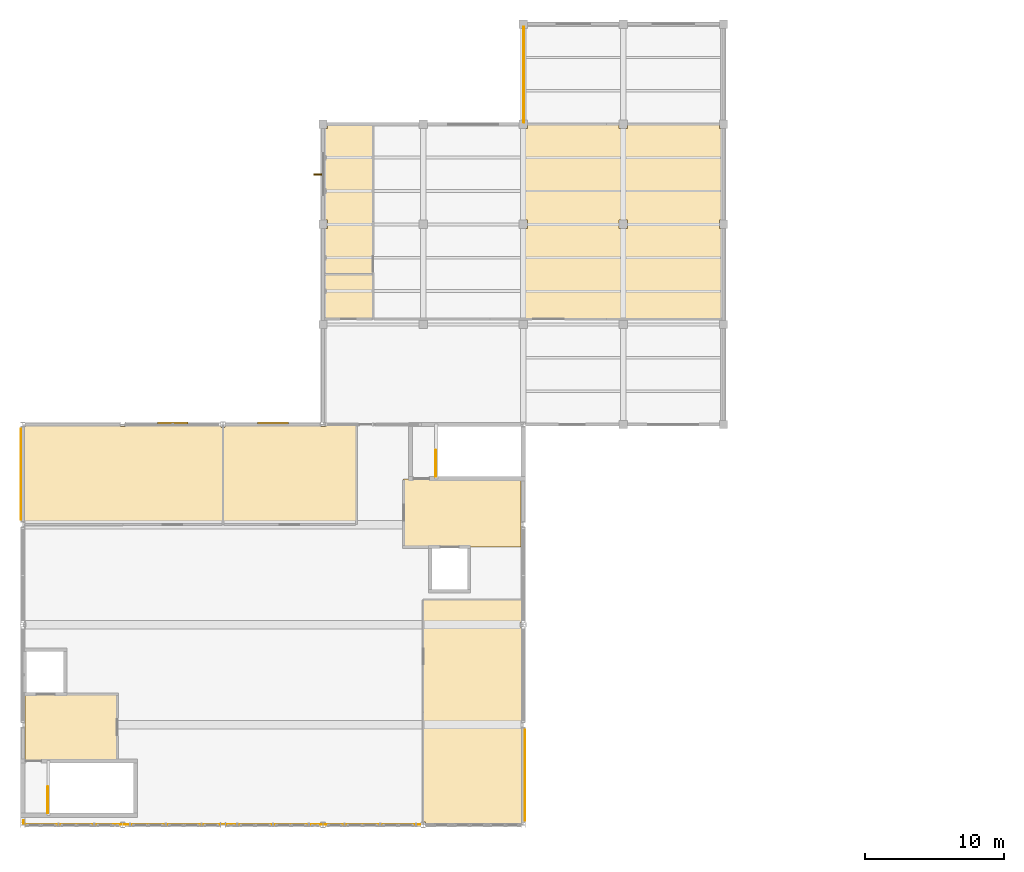
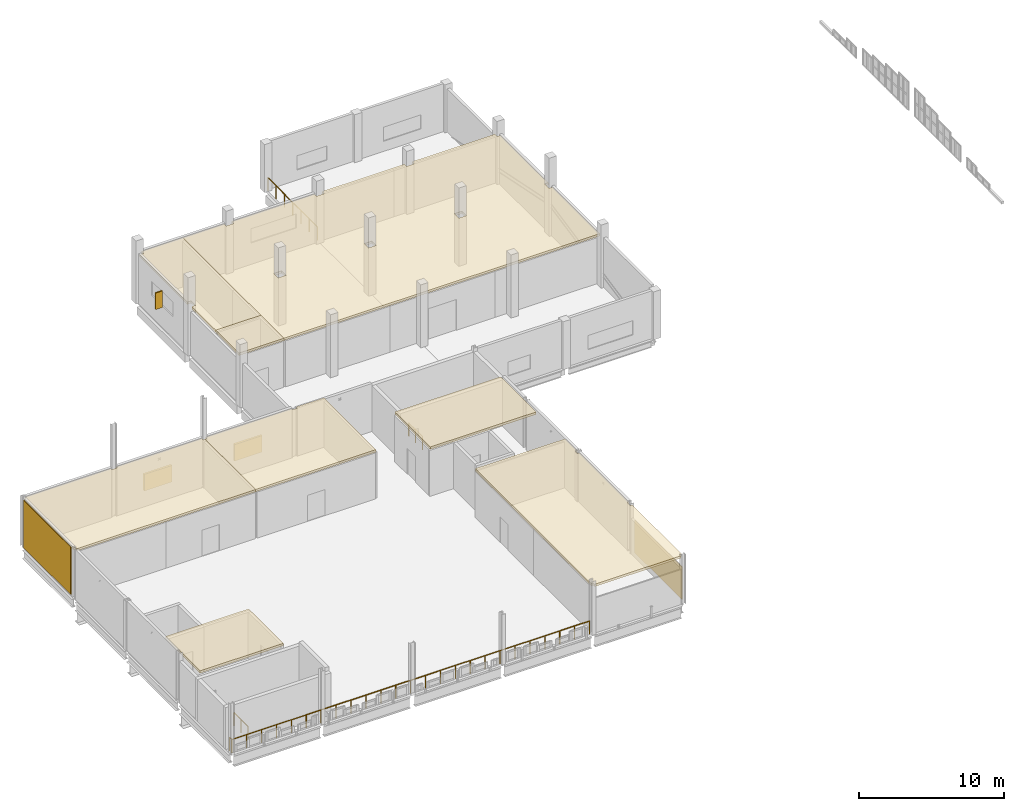
# One storey, part 20 of 20: 10 coverings, 4 railings, 3 shading devices.
"""IFC4 building model written with IfcOpenShell, lengths in metres."""

import ifcopenshell
import ifcopenshell.guid

model = None  # the IFC model being written
_history = None  # IfcOwnerHistory: only IFC2X3 demands one
_inside = {}  # id of a spatial element -> (the spatial element, [elements in it])
_under = {}  # id of a project, library or spatial element -> (it, [spatial elements below it])
_declared = {}  # id of a project -> (the project, [libraries it declares])
_typed = {}  # id of a type object -> (the type object, [elements of that type])
_made_of = {}  # id of a material, layer set ... -> (it, [elements and type objects made of it])


def new_model(schema):
    """Start an empty IFC model of exactly this schema.

    Asked for "IFC4X3", IfcOpenShell would pick the latest addendum, in which some entities
    have other attributes; the version numbers below select the first issue.
    IFC2X3 requires an IfcOwnerHistory on every rooted entity: one is made here for all.
    """
    global model, _history
    if schema == "IFC4X3":
        model = ifcopenshell.file(schema_version=(4, 3, 0, 0))
    else:
        model = ifcopenshell.file(schema=schema)
    _inside.clear()
    _under.clear()
    _declared.clear()
    _typed.clear()
    _made_of.clear()
    _history = None
    if model.schema == "IFC2X3":
        org = make("IfcOrganization", Name="unknown")
        user = make(
            "IfcPersonAndOrganization",
            ThePerson=make("IfcPerson", FamilyName="unknown"),
            TheOrganization=org,
        )
        app = make(
            "IfcApplication",
            ApplicationDeveloper=org,
            Version="unknown",
            ApplicationFullName="unknown",
            ApplicationIdentifier="unknown",
        )
        _history = make(
            "IfcOwnerHistory",
            OwningUser=user,
            OwningApplication=app,
            ChangeAction="ADDED",
            CreationDate=0,
        )
    return model


def make(cls, **values):
    """One entity of the class cls with the attributes given. An attribute that is None is left unset."""
    return model.create_entity(
        cls, **{name: value for name, value in values.items() if value is not None}
    )


def rooted(cls, **values):
    """An entity with a GlobalId (a new one), such as an element, a storey or a relation."""
    return make(cls, GlobalId=ifcopenshell.guid.new(), OwnerHistory=_history, **values)


def si_unit(unit_type, name, prefix=None):
    """IfcSIUnit, for example si_unit("LENGTHUNIT", "METRE", prefix="MILLI")."""
    return make("IfcSIUnit", UnitType=unit_type, Prefix=prefix, Name=name)


def assignment(units):
    """IfcUnitAssignment: the units of a project."""
    return None if units is None else make("IfcUnitAssignment", Units=units)


def point(xyz):
    """IfcCartesianPoint."""
    return None if xyz is None else make("IfcCartesianPoint", Coordinates=xyz)


def direction(xyz):
    """IfcDirection."""
    return None if xyz is None else make("IfcDirection", DirectionRatios=xyz)


def frame(location, z_axis=None, x_axis=None):
    """IfcAxis2Placement3D, a coordinate frame: its origin and axes. An axis left out is left unset."""
    return make(
        "IfcAxis2Placement3D",
        Location=point(location),
        Axis=direction(z_axis),
        RefDirection=direction(x_axis),
    )


def frame_2d(location, x_axis=None):
    """IfcAxis2Placement2D, a coordinate frame in the plane: its origin and x axis."""
    return make(
        "IfcAxis2Placement2D", Location=point(location), RefDirection=direction(x_axis)
    )


def origin():
    """The frame at (0, 0, 0) with its axes left unset."""
    return frame((0.0, 0.0, 0.0))


def origin_2d():
    """The frame at (0, 0) in the plane with its x axis left unset."""
    return frame_2d((0.0, 0.0))


def place(relative_to, where):
    """IfcLocalPlacement: puts the frame where relative to a parent placement (None: the world)."""
    return make(
        "IfcLocalPlacement", PlacementRelTo=relative_to, RelativePlacement=where
    )


def context(
    kind, dimensions, precision=None, world=None, true_north=None, identifier=None
):
    """IfcGeometricRepresentationContext, for example the 3D "Model" context."""
    return make(
        "IfcGeometricRepresentationContext",
        ContextIdentifier=identifier,
        ContextType=kind,
        CoordinateSpaceDimension=dimensions,
        Precision=precision,
        WorldCoordinateSystem=world,
        TrueNorth=true_north,
    )


def subcontext(parent, identifier, kind, view, scale=None):
    """IfcGeometricRepresentationSubContext, for example "Body" below "Model"."""
    return make(
        "IfcGeometricRepresentationSubContext",
        ContextIdentifier=identifier,
        ContextType=kind,
        ParentContext=parent,
        TargetScale=scale,
        TargetView=view,
    )


def project(units=None, contexts=None):
    """IfcProject with its units and contexts."""
    return rooted(
        "IfcProject",
        Name="project",
        RepresentationContexts=contexts,
        UnitsInContext=assignment(units),
    )


def spatial(cls, under=None, at=None, **own):
    """A site, building, storey or space (cls), placed at a placement, below another one or the project."""
    s = rooted(cls, ObjectPlacement=at, **own)
    if under is not None:
        _under.setdefault(under.id(), (under, []))[1].append(s)
    return s


def polyline(points):
    """IfcPolyline through the points."""
    return make("IfcPolyline", Points=[point(p) for p in points])


def profile(cls, at=None, kind="AREA", **sizes):
    """A parametric profile (cls). Its sizes go by their IFC names, for example OverallWidth=200.0."""
    return make(cls, ProfileType=kind, Position=at, **sizes)


def rectangle(**sizes):
    """IfcRectangleProfileDef."""
    return profile("IfcRectangleProfileDef", **sizes)


def circle(**sizes):
    """IfcCircleProfileDef."""
    return profile("IfcCircleProfileDef", **sizes)


def outline(outer, holes=None, kind="AREA"):
    """IfcArbitraryClosedProfileDef: a profile drawn as a closed curve; with holes, ...WithVoids."""
    if holes is None:
        return make("IfcArbitraryClosedProfileDef", ProfileType=kind, OuterCurve=outer)
    return make(
        "IfcArbitraryProfileDefWithVoids",
        ProfileType=kind,
        OuterCurve=outer,
        InnerCurves=holes,
    )


def extrude(swept, where, along, depth):
    """IfcExtrudedAreaSolid: the profile swept, set in the frame where, extruded along a direction by depth."""
    return make(
        "IfcExtrudedAreaSolid",
        SweptArea=swept,
        Position=where,
        ExtrudedDirection=direction(along),
        Depth=depth,
    )


def shape(context_of_items, identifier, shape_type, items):
    """IfcShapeRepresentation: the items that make up one representation, for example the "Body"."""
    return make(
        "IfcShapeRepresentation",
        ContextOfItems=context_of_items,
        RepresentationIdentifier=identifier,
        RepresentationType=shape_type,
        Items=items,
    )


def material(Name=None, Category=None):
    """IfcMaterial."""
    return make("IfcMaterial", Name=Name, Category=Category)


def layer(
    of_material, thickness, ventilated=None, Name=None, Category=None, Priority=None
):
    """IfcMaterialLayer: one layer of a wall or slab, of a material (None: an air gap)."""
    return make(
        "IfcMaterialLayer",
        Material=of_material,
        LayerThickness=thickness,
        IsVentilated=ventilated,
        Name=Name,
        Category=Category,
        Priority=Priority,
    )


def layer_set(layers, Name=None):
    """IfcMaterialLayerSet."""
    return make("IfcMaterialLayerSet", MaterialLayers=layers, LayerSetName=Name)


def made_of(thing, what):
    """Note that an element or type object is made of a material, layer set ...; save() writes the relation."""
    if what is not None:
        _made_of.setdefault(what.id(), (what, []))[1].append(thing)
    return thing


def type_object(cls, material=None, **own):
    """A type object (cls), such as IfcWallType, which elements share."""
    return made_of(rooted(cls, **own), material)


def element(
    cls,
    number,
    at=None,
    inside=None,
    cuts=None,
    type_object=None,
    material=None,
    context=None,
    identifier="Body",
    shape_type=None,
    held_by="IfcProductDefinitionShape",
    body=None,
    shapes=None,
    **own,
):
    """One element of the class cls, such as IfcWall. Its Tag is "e" and its number.

    at: its placement. inside: the storey or other place that contains it. cuts: it is an
    opening in that element (IfcRelVoidsElement). A single representation is given by context,
    identifier, shape_type and body (its items); several are given by shapes. held_by: the class
    of the entity that holds the representations. save() writes the other relations.
    """
    e = rooted(cls, Tag="e%d" % number, ObjectPlacement=at, **own)
    if body is not None:
        shapes = [shape(context, identifier, shape_type, body)]
    if shapes is not None:
        e.Representation = make(held_by, Representations=shapes)
    if inside is not None:
        _inside.setdefault(inside.id(), (inside, []))[1].append(e)
    if cuts is not None:
        rooted(
            "IfcRelVoidsElement", RelatingBuildingElement=cuts, RelatedOpeningElement=e
        )
    if type_object is not None:
        _typed.setdefault(type_object.id(), (type_object, []))[1].append(e)
    return made_of(e, material)


def aggregate(whole, parts):
    """IfcRelAggregates: a whole, such as a stair, and the parts it consists of."""
    return rooted("IfcRelAggregates", RelatingObject=whole, RelatedObjects=parts)


def save(model, path):
    """Write the relations noted so far, then the file.

    IfcRelAggregates (storeys below a building ...), IfcRelContainedInSpatialStructure (elements
    in a storey), IfcRelDefinesByType, IfcRelAssociatesMaterial and IfcRelDeclares: one each for
    every whole, place, type object, material and project.
    """
    for whole, parts in _under.values():
        aggregate(whole, parts)
    for where, things in _inside.values():
        rooted(
            "IfcRelContainedInSpatialStructure",
            RelatedElements=things,
            RelatingStructure=where,
        )
    for kind, things in _typed.values():
        rooted("IfcRelDefinesByType", RelatedObjects=things, RelatingType=kind)
    for what, things in _made_of.values():
        rooted("IfcRelAssociatesMaterial", RelatedObjects=things, RelatingMaterial=what)
    for by, libraries in _declared.values():
        rooted("IfcRelDeclares", RelatingContext=by, RelatedDefinitions=libraries)
    model.write(path)


model = new_model("IFC4")

# Units and contexts
model_context = context("Model", 3, precision=1e-05, world=origin(), true_north=direction((0.0, 1.0)))
body_context = subcontext(model_context, "Body", "Model", "MODEL_VIEW")
ifc_project = project(units=[si_unit("LENGTHUNIT", "METRE"), si_unit("AREAUNIT", "SQUARE_METRE"), si_unit("VOLUMEUNIT", "CUBIC_METRE"), si_unit("PLANEANGLEUNIT", "RADIAN"), si_unit("MASSUNIT", "GRAM", prefix="KILO"), si_unit("THERMODYNAMICTEMPERATUREUNIT", "KELVIN"), si_unit("POWERUNIT", "WATT")], contexts=[model_context])

# Site, building, storey
site_placement = place(None, origin())
site = spatial("IfcSite", under=ifc_project, at=site_placement, CompositionType="ELEMENT")
building_placement = place(site_placement, origin())
building = spatial("IfcBuilding", under=site, at=building_placement, Name="Kaldorven Railside Theatre", CompositionType="ELEMENT")
storey_placement = place(building_placement, frame((0.0, 0.0, 23.10009765625)))
storey = spatial("IfcBuildingStorey", under=building, at=storey_placement, Name="L05", CompositionType="ELEMENT", Elevation=23.10009765625)

# Coverings
ifc_material_1 = material(Name="Bush-hammered precast concrete C40/50", Category="concrete")
ifc_layer_1 = layer(ifc_material_1, 0.050048828125, Name="Bush-hammered precast concrete C40/50")
ifc_layer_set_1 = layer_set([ifc_layer_1], Name="Bush-hammered precast concrete C40/50")
covering_type_1 = type_object("IfcCoveringType", Name="COV-CLD-01", PredefinedType="CLADDING", material=ifc_layer_set_1)
covering_1_placement = place(storey_placement, frame((87.069091796875, 109.219970703125, 0.099853515625), z_axis=(0.0, 0.0, 1.0), x_axis=(0.0, 1.0, 0.0)))
element("IfcCovering", 1, at=covering_1_placement, inside=storey, type_object=covering_type_1, Name="Bush-Hammered Laterite Rainscreen Panel CLD-043", PredefinedType="CLADDING", context=body_context, shape_type="SweptSolid", body=[
    extrude(rectangle(XDim=6.5400390625, YDim=0.050048828125, at=origin_2d()), origin(), (0.0, 0.0, 1.0), 4.0),
])
covering_2_placement = place(storey_placement, frame((123.3310546875, 87.577392578125, 0.10009765625), z_axis=(0.0, 0.0, 1.0), x_axis=(0.0, -1.0, 0.0)))
element("IfcCovering", 2, at=covering_2_placement, inside=storey, type_object=covering_type_1, Name="Bush-Hammered Laterite Rainscreen Panel CLD-044", PredefinedType="CLADDING", context=body_context, shape_type="SweptSolid", body=[
    extrude(rectangle(XDim=6.544921875, YDim=0.050048828125, at=origin_2d()), origin(), (0.0, 0.0, 1.0), 2.7490234375),
])
ifc_material_2 = material(Name="Fire-rated acoustic mineral-core ceiling")
ifc_layer_2 = layer(ifc_material_2, 0.199951171875, Name="Fire-rated acoustic mineral-core ceiling")
ifc_layer_set_2 = layer_set([ifc_layer_2], Name="Fire-rated acoustic mineral-core ceiling")
covering_type_2 = type_object("IfcCoveringType", Name="COV-CLG-L05", PredefinedType="CEILING", material=ifc_layer_set_2)
covering_3_placement = place(storey_placement, frame((0.0, 0.0, 3.8798828125)))
element("IfcCovering", 3, at=covering_3_placement, inside=storey, type_object=covering_type_2, Name="L05 Rigging Winch Room Overhead Ceiling Enclosure 026", PredefinedType="CEILING", context=body_context, shape_type="SweptSolid", body=[
    extrude(outline(polyline([(101.60009765625, 105.60009765625), (87.35205078125, 105.60009765625), (87.35205078125, 105.802001953125), (87.199951171875, 105.802001953125), (87.199951171875, 112.6376953125), (87.356689453125, 112.6376953125), (87.356689453125, 112.800048828125), (94.197998046875, 112.800048828125), (94.197998046875, 112.64794921875), (94.60205078125, 112.64794921875), (94.60205078125, 112.800048828125), (101.447998046875, 112.800048828125), (101.447998046875, 112.597900390625), (101.60009765625, 112.597900390625), (101.60009765625, 105.60009765625)])), origin(), (0.0, 0.0, 1.0), 0.199951171875),
])
covering_4_placement = place(storey_placement, frame((0.0, 0.0, 3.8798828125)))
element("IfcCovering", 4, at=covering_4_placement, inside=storey, type_object=covering_type_2, Name="L05 Upper Smoke Extract Plant Overhead Ceiling Enclosure 027", PredefinedType="CEILING", context=body_context, shape_type="SweptSolid", body=[
    extrude(outline(polyline([(111.199951171875, 112.800048828125), (111.199951171875, 105.60009765625), (101.60009765625, 105.60009765625), (101.60009765625, 112.597900390625), (101.751953125, 112.597900390625), (101.751953125, 112.800048828125), (108.597900390625, 112.800048828125), (108.597900390625, 112.64794921875), (109.001953125, 112.64794921875), (109.001953125, 112.800048828125), (111.199951171875, 112.800048828125)])), origin(), (0.0, 0.0, 1.0), 0.199951171875),
])
covering_5_placement = place(storey_placement, frame((0.0, 0.0, 3.8798828125)))
element("IfcCovering", 5, at=covering_5_placement, inside=storey, type_object=covering_type_2, Name="L05 Stage Automation Control Room Overhead Ceiling Enclosure 028", PredefinedType="CEILING", context=body_context, shape_type="SweptSolid", body=[
    extrude(outline(polyline([(123.199951171875, 84.156494140625), (123.037841796875, 84.156494140625), (123.037841796875, 84.0), (116.152099609375, 84.0), (116.152099609375, 84.201904296875), (116.0, 84.201904296875), (116.0, 100.199951171875), (123.199951171875, 100.199951171875), (123.199951171875, 98.552001953125), (122.998046875, 98.552001953125), (122.998046875, 98.248046875), (123.199951171875, 98.248046875), (123.199951171875, 91.402099609375), (123.048095703125, 91.402099609375), (123.048095703125, 90.998046875), (123.199951171875, 90.998046875), (123.199951171875, 84.156494140625)])), origin(), (0.0, 0.0, 1.0), 0.199951171875),
])
covering_6_placement = place(storey_placement, frame((0.0, 0.0, 3.8798828125)))
element("IfcCovering", 6, at=covering_6_placement, inside=storey, type_object=covering_type_2, Name="L05 Upper Rigging Workshop Overhead Ceiling Enclosure 029", PredefinedType="CEILING", context=body_context, shape_type="SweptSolid", body=[
    extrude(outline(polyline([(137.60009765625, 120.39990234375), (112.39990234375, 120.39990234375), (112.39990234375, 134.39990234375), (115.697998046875, 134.39990234375), (115.697998046875, 134.097900390625), (116.302001953125, 134.097900390625), (116.302001953125, 134.39990234375), (122.89794921875, 134.39990234375), (122.89794921875, 134.097900390625), (123.501953125, 134.097900390625), (123.501953125, 134.39990234375), (130.097900390625, 134.39990234375), (130.097900390625, 134.097900390625), (130.701904296875, 134.097900390625), (130.701904296875, 134.39990234375), (137.298095703125, 134.39990234375), (137.298095703125, 134.097900390625), (137.60009765625, 134.097900390625), (137.60009765625, 127.501953125), (137.298095703125, 127.501953125), (137.298095703125, 126.89794921875), (137.60009765625, 126.89794921875), (137.60009765625, 120.39990234375)]), holes=[polyline([(116.302001953125, 126.89794921875), (116.302001953125, 127.501953125), (115.697998046875, 127.501953125), (115.697998046875, 126.89794921875), (116.302001953125, 126.89794921875)]), polyline([(123.501953125, 126.89794921875), (123.501953125, 127.501953125), (122.89794921875, 127.501953125), (122.89794921875, 126.89794921875), (123.501953125, 126.89794921875)]), polyline([(130.097900390625, 126.89794921875), (130.701904296875, 126.89794921875), (130.701904296875, 127.501953125), (130.097900390625, 127.501953125), (130.097900390625, 126.89794921875)])]), origin(), (0.0, 0.0, 1.0), 0.199951171875),
])
covering_7_placement = place(storey_placement, frame((0.0, 0.0, 3.8798828125)))
element("IfcCovering", 7, at=covering_7_placement, inside=storey, type_object=covering_type_2, Name="L05 Gridiron Staff Accessible WC Overhead Ceiling Enclosure 030", PredefinedType="CEILING", context=body_context, shape_type="SweptSolid", body=[
    extrude(outline(polyline([(108.800048828125, 120.39990234375), (108.800048828125, 123.60009765625), (112.39990234375, 123.60009765625), (112.39990234375, 120.39990234375), (108.800048828125, 120.39990234375)])), origin(), (0.0, 0.0, 1.0), 0.199951171875),
])
covering_8_placement = place(storey_placement, frame((0.0, 0.0, 3.8798828125)))
element("IfcCovering", 8, at=covering_8_placement, inside=storey, type_object=covering_type_2, Name="L05 Gridiron Cleaner's Store Overhead Ceiling Enclosure 031", PredefinedType="CEILING", context=body_context, shape_type="SweptSolid", body=[
    extrude(outline(polyline([(112.39990234375, 134.39990234375), (112.39990234375, 123.60009765625), (108.800048828125, 123.60009765625), (108.800048828125, 126.89794921875), (109.10205078125, 126.89794921875), (109.10205078125, 127.501953125), (108.800048828125, 127.501953125), (108.800048828125, 134.097900390625), (109.10205078125, 134.097900390625), (109.10205078125, 134.39990234375), (112.39990234375, 134.39990234375)])), origin(), (0.0, 0.0, 1.0), 0.199951171875),
])
covering_9_placement = place(storey_placement, frame((0.0, 0.0, 3.8798828125)))
element("IfcCovering", 9, at=covering_9_placement, inside=storey, type_object=covering_type_2, Name="L05 Firefighting Lobby C-STW Ceiling Enclosure 032", PredefinedType="CEILING", context=body_context, shape_type="SweptSolid", body=[
    extrude(outline(polyline([(87.35009765625, 93.39990234375), (94.0, 93.39990234375), (94.0, 88.60009765625), (87.35009765625, 88.60009765625), (87.35009765625, 90.998046875), (87.35205078125, 90.998046875), (87.35205078125, 91.402099609375), (87.35009765625, 91.402099609375), (87.35009765625, 93.39990234375)])), origin(), (0.0, 0.0, 1.0), 0.199951171875),
])
covering_10_placement = place(storey_placement, frame((0.0, 0.0, 3.8798828125)))
element("IfcCovering", 10, at=covering_10_placement, inside=storey, type_object=covering_type_2, Name="L05 Firefighting Lobby C-STE Ceiling Enclosure 033", PredefinedType="CEILING", context=body_context, shape_type="SweptSolid", body=[
    extrude(outline(polyline([(123.050048828125, 104.0), (114.60009765625, 104.0), (114.60009765625, 108.89990234375), (123.050048828125, 108.89990234375), (123.050048828125, 105.802001953125), (123.048095703125, 105.802001953125), (123.048095703125, 105.39794921875), (123.050048828125, 105.39794921875), (123.050048828125, 104.0)])), origin(), (0.0, 0.0, 1.0), 0.199951171875),
])

# Railings
ifc_material_3 = material(Name="Anodised bronze aluminium", Category="aluminium")
railing_type_1 = type_object("IfcRailingType", Name="RLG-BAL-1100", PredefinedType="BALUSTRADE", material=ifc_material_3)
railing_1_placement = place(storey_placement, frame((115.782958984375, 84.0400390625, 0.0)))
element("IfcRailing", 11, at=railing_1_placement, inside=storey, type_object=railing_type_1, Name="L05 Safety Balustrade GR-129", PredefinedType="BALUSTRADE", context=body_context, shape_type="SweptSolid", body=[
    extrude(circle(Radius=0.02392578125, at=origin_2d()), frame((0.0, 0.0, 1.09619140625), z_axis=(-1.0, 0.0, 0.0), x_axis=(0.0, -1.0, 0.0)), (0.0, 0.0, 1.0), 28.54296875),
    extrude(circle(Radius=0.02392578125, at=origin_2d()), frame((-28.54296875, 0.0, 1.09619140625), z_axis=(0.0, 1.0, 0.0), x_axis=(-1.0, 0.0, 0.0)), (0.0, 0.0, 1.0), 0.2900390625),
    extrude(circle(Radius=0.02099609375, at=origin_2d()), origin(), (0.0, 0.0, 1.0), 1.072021484375),
    extrude(circle(Radius=0.02099609375, at=origin_2d()), frame((-1.189208984375, 0.0, 0.0)), (0.0, 0.0, 1.0), 1.072021484375),
    extrude(circle(Radius=0.02099609375, at=origin_2d()), frame((-2.378662109375, 0.0, 0.0)), (0.0, 0.0, 1.0), 1.072021484375),
    extrude(circle(Radius=0.02099609375, at=origin_2d()), frame((-3.56787109375, 0.0, 0.0)), (0.0, 0.0, 1.0), 1.072021484375),
    extrude(circle(Radius=0.02099609375, at=origin_2d()), frame((-4.757080078125, 0.0, 0.0)), (0.0, 0.0, 1.0), 1.072021484375),
    extrude(circle(Radius=0.02099609375, at=origin_2d()), frame((-5.946533203125, 0.0, 0.0)), (0.0, 0.0, 1.0), 1.072021484375),
    extrude(circle(Radius=0.02099609375, at=origin_2d()), frame((-7.1357421875, 0.0, 0.0)), (0.0, 0.0, 1.0), 1.072021484375),
    extrude(circle(Radius=0.02099609375, at=origin_2d()), frame((-8.324951171875, 0.0, 0.0)), (0.0, 0.0, 1.0), 1.072021484375),
    extrude(circle(Radius=0.02099609375, at=origin_2d()), frame((-9.514404296875, 0.0, 0.0)), (0.0, 0.0, 1.0), 1.072021484375),
    extrude(circle(Radius=0.02099609375, at=origin_2d()), frame((-10.70361328125, 0.0, 0.0)), (0.0, 0.0, 1.0), 1.072021484375),
    extrude(circle(Radius=0.02099609375, at=origin_2d()), frame((-11.892822265625, 0.0, 0.0)), (0.0, 0.0, 1.0), 1.072021484375),
    extrude(circle(Radius=0.02099609375, at=origin_2d()), frame((-13.082275390625, 0.0, 0.0)), (0.0, 0.0, 1.0), 1.072021484375),
    extrude(circle(Radius=0.02099609375, at=origin_2d()), frame((-14.271484375, 0.0, 0.0)), (0.0, 0.0, 1.0), 1.072021484375),
    extrude(circle(Radius=0.02099609375, at=origin_2d()), frame((-15.460693359375, 0.0, 0.0)), (0.0, 0.0, 1.0), 1.072021484375),
    extrude(circle(Radius=0.02099609375, at=origin_2d()), frame((-16.650146484375, 0.0, 0.0)), (0.0, 0.0, 1.0), 1.072021484375),
    extrude(circle(Radius=0.02099609375, at=origin_2d()), frame((-17.83935546875, 0.0, 0.0)), (0.0, 0.0, 1.0), 1.072021484375),
    extrude(circle(Radius=0.02099609375, at=origin_2d()), frame((-19.028564453125, 0.0, 0.0)), (0.0, 0.0, 1.0), 1.072021484375),
    extrude(circle(Radius=0.02099609375, at=origin_2d()), frame((-20.218017578125, 0.0, 0.0)), (0.0, 0.0, 1.0), 1.072021484375),
    extrude(circle(Radius=0.02099609375, at=origin_2d()), frame((-21.4072265625, 0.0, 0.0)), (0.0, 0.0, 1.0), 1.072021484375),
    extrude(circle(Radius=0.02099609375, at=origin_2d()), frame((-22.596435546875, 0.0, 0.0)), (0.0, 0.0, 1.0), 1.072021484375),
    extrude(circle(Radius=0.02099609375, at=origin_2d()), frame((-23.785888671875, 0.0, 0.0)), (0.0, 0.0, 1.0), 1.072021484375),
    extrude(circle(Radius=0.02099609375, at=origin_2d()), frame((-24.97509765625, 0.0, 0.0)), (0.0, 0.0, 1.0), 1.072021484375),
    extrude(circle(Radius=0.02099609375, at=origin_2d()), frame((-26.164306640625, 0.0, 0.0)), (0.0, 0.0, 1.0), 1.072021484375),
    extrude(circle(Radius=0.02099609375, at=origin_2d()), frame((-27.353759765625, 0.0, 0.0)), (0.0, 0.0, 1.0), 1.072021484375),
    extrude(circle(Radius=0.02099609375, at=origin_2d()), frame((-28.54296875, 0.0, 0.0)), (0.0, 0.0, 1.0), 1.072021484375),
    extrude(circle(Radius=0.02099609375, at=origin_2d()), frame((-28.54296875, 0.2900390625, 0.0)), (0.0, 0.0, 1.0), 1.072021484375),
])
railing_2_placement = place(storey_placement, frame((123.239990234375, 134.539306640625, 0.0)))
element("IfcRailing", 12, at=railing_2_placement, inside=storey, type_object=railing_type_1, Name="L05 Safety Balustrade GR-130", PredefinedType="BALUSTRADE", context=body_context, shape_type="SweptSolid", body=[
    extrude(circle(Radius=0.02392578125, at=origin_2d()), frame((0.0, 0.0, 1.09619140625), z_axis=(0.0, 1.0, 0.0), x_axis=(-1.0, 0.0, 0.0)), (0.0, 0.0, 1.0), 6.85791015625),
    extrude(circle(Radius=0.02099609375, at=origin_2d()), origin(), (0.0, 0.0, 1.0), 1.072021484375),
    extrude(circle(Radius=0.02099609375, at=origin_2d()), frame((0.0, 1.14306640625, 0.0)), (0.0, 0.0, 1.0), 1.072021484375),
    extrude(circle(Radius=0.02099609375, at=origin_2d()), frame((0.0, 2.285888671875, 0.0)), (0.0, 0.0, 1.0), 1.072021484375),
    extrude(circle(Radius=0.02099609375, at=origin_2d()), frame((0.0, 3.428955078125, 0.0)), (0.0, 0.0, 1.0), 1.072021484375),
    extrude(circle(Radius=0.02099609375, at=origin_2d()), frame((0.0, 4.572021484375, 0.0)), (0.0, 0.0, 1.0), 1.072021484375),
    extrude(circle(Radius=0.02099609375, at=origin_2d()), frame((0.0, 5.71484375, 0.0)), (0.0, 0.0, 1.0), 1.072021484375),
    extrude(circle(Radius=0.02099609375, at=origin_2d()), frame((0.0, 6.85791015625, 0.0)), (0.0, 0.0, 1.0), 1.072021484375),
])
ifc_material_4 = material(Name="Steel S355", Category="steel")
railing_type_2 = type_object("IfcRailingType", Name="RLG-STG-1100", PredefinedType="BALUSTRADE", material=ifc_material_4)
for number, where, name in (
    (13, (89.0, 84.85009765625, 0.0), "L05 ST-05 top well guard 1"),
    (14, (116.89990234375, 109.050048828125, 0.0), "L05 ST-06 top well guard 1"),
):
    element("IfcRailing", number, at=place(storey_placement, frame(where)), inside=storey, type_object=railing_type_2, Name=name, PredefinedType="BALUSTRADE", context=body_context, shape_type="SweptSolid", body=[
        extrude(circle(Radius=0.02392578125, at=origin_2d()), frame((0.0, 0.0, 1.09619140625), z_axis=(0.0, 1.0, 0.0), x_axis=(-1.0, 0.0, 0.0)), (0.0, 0.0, 1.0), 1.89990234375),
        extrude(circle(Radius=0.02099609375, at=origin_2d()), origin(), (0.0, 0.0, 1.0), 1.072021484375),
        extrude(circle(Radius=0.02099609375, at=origin_2d()), frame((0.0, 0.949951171875, 0.0)), (0.0, 0.0, 1.0), 1.072021484375),
        extrude(circle(Radius=0.02099609375, at=origin_2d()), frame((0.0, 1.89990234375, 0.0)), (0.0, 0.0, 1.0), 1.072021484375),
    ])

# Shading devices
shading_device_type_1 = type_object("IfcShadingDeviceType", Name="SHD-FIN-02", PredefinedType="USERDEFINED", material=ifc_material_3)
shading_device_placement = place(storey_placement, frame((108.4189453125, 130.800048828125, 1.699951171875), z_axis=(0.0, 0.0, 1.0), x_axis=(0.0, 1.0, 0.0)))
element("IfcShadingDevice", 15, at=shading_device_placement, inside=storey, type_object=shading_device_type_1, Name="Anodised-Bronze Brise-Soleil Fin FIN-038", ObjectType="SUNSHADE", PredefinedType="USERDEFINED", context=body_context, shape_type="SweptSolid", body=[
    extrude(rectangle(XDim=0.10009765625, YDim=0.550048828125, at=origin_2d()), origin(), (0.0, 0.0, 1.0), 1.39990234375),
])
shading_device_type_2 = type_object("IfcShadingDeviceType", Name="SHD-LVR-01", PredefinedType="JALOUSIE", material=ifc_material_3)
for number, where, z_axis, x_axis, name in (
    (16, (105.199951171875, 112.919921875, 1.199951171875), (0.0, 0.0, 1.0), (1.0, 0.0, 0.0), "Acoustic Weather Louvre Bank LVR-03"),
    (17, (98.0, 112.919921875, 1.199951171875), (0.0, 0.0, 1.0), (1.0, 0.0, 0.0), "Acoustic Weather Louvre Bank LVR-04"),
):
    element("IfcShadingDevice", number, at=place(storey_placement, frame(where, z_axis=z_axis, x_axis=x_axis)), inside=storey, type_object=shading_device_type_2, Name=name, PredefinedType="JALOUSIE", context=body_context, shape_type="SweptSolid", body=[
        extrude(rectangle(XDim=2.199951171875, YDim=0.159912109375, at=origin_2d()), origin(), (0.0, 0.0, 1.0), 1.39990234375),
    ])

save(model, "model.ifc")
